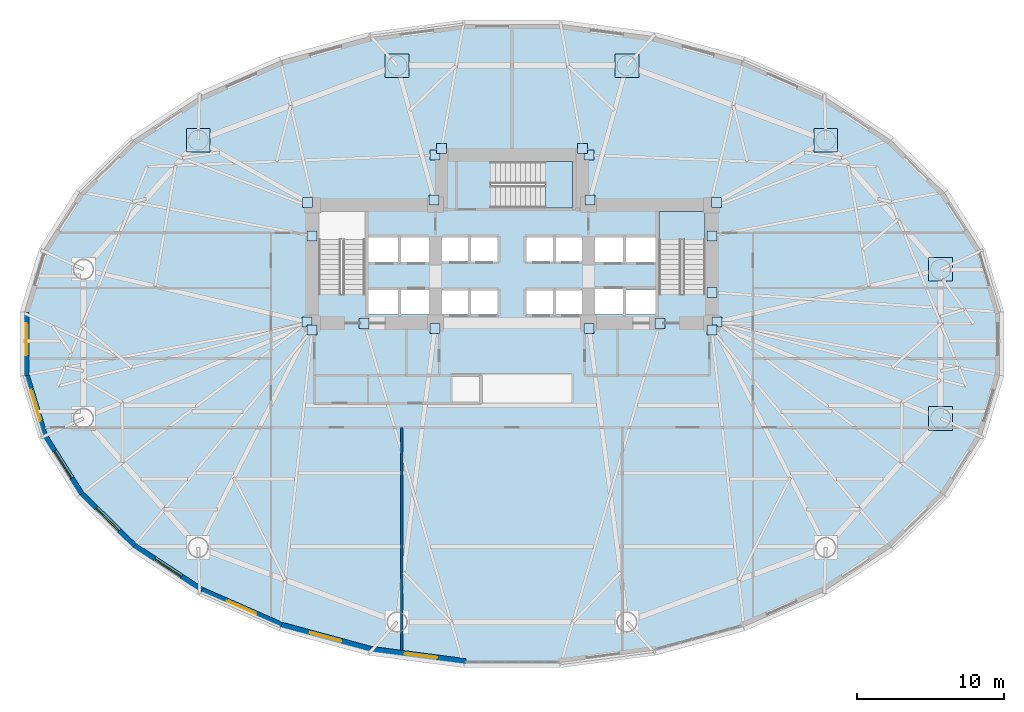
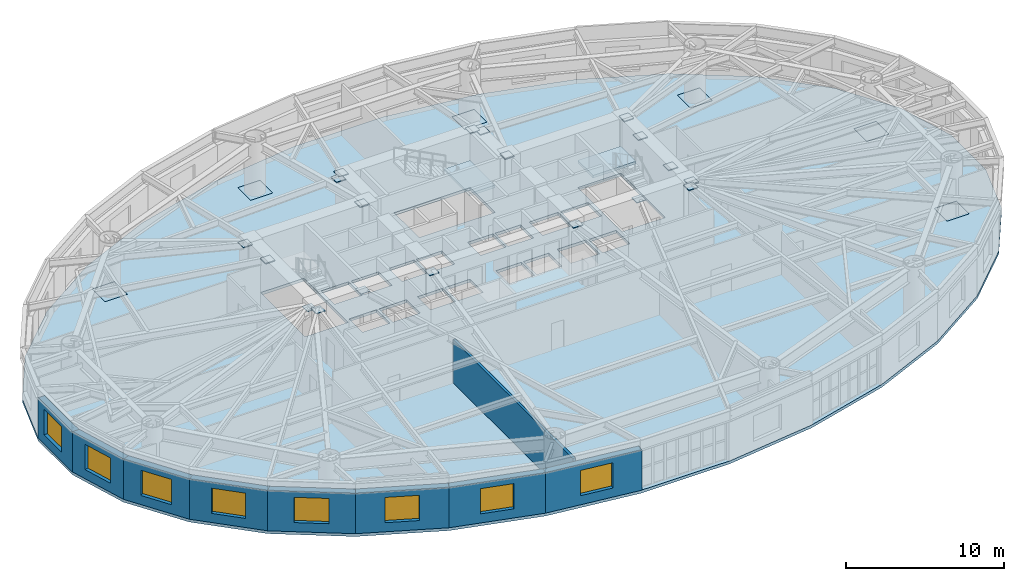
# One storey, part 8 of 18: 25 plates, 9 walls, 8 windows, 3 slabs, 8 openings, 2 elements without a shape of their own.
"""IFC4 building model written with IfcOpenShell, lengths in metres."""

from ifc_helpers import new_model, si_unit, direction, frame, frame_2d, origin, origin_2d, place, context, subcontext, project, spatial, polyline, rectangle, outline, extrude, material, layer, layer_set, type_object, element, fill, aggregate, save


model = new_model("IFC4")

# Units and contexts
model_context = context("Model", 3, precision=1e-05, world=origin(), true_north=direction((0.0, 1.0)))
body_context = subcontext(model_context, "Body", "Model", "MODEL_VIEW")
ifc_project = project(units=[si_unit("LENGTHUNIT", "METRE"), si_unit("AREAUNIT", "SQUARE_METRE"), si_unit("VOLUMEUNIT", "CUBIC_METRE"), si_unit("PLANEANGLEUNIT", "RADIAN"), si_unit("MASSUNIT", "GRAM", prefix="KILO")], contexts=[model_context])

# Site, building, storey
site_placement = place(None, origin())
site = spatial("IfcSite", under=ifc_project, at=site_placement, CompositionType="ELEMENT")
building_placement = place(site_placement, origin())
building = spatial("IfcBuilding", under=site, at=building_placement, Name="Keldmark Tower", CompositionType="ELEMENT")
storey_placement = place(building_placement, frame((0.0, 0.0, 6.0)))
storey = spatial("IfcBuildingStorey", under=building, at=storey_placement, Name="L01", CompositionType="ELEMENT", Elevation=6.0)

# Plates
ifc_material_1 = material(Name="Steel ASTM A572 Grade 50", Category="steel")
ifc_layer_1 = layer(ifc_material_1, 0.06005859375)
ifc_layer_set_1 = layer_set([ifc_layer_1], Name="Steel ASTM A572 Grade 50")
plate_type_1 = type_object("IfcPlateType", Name="Belt Truss Kink Node Assembly KN01 60 mm", PredefinedType="USERDEFINED", material=ifc_layer_set_1)
for number, where, z_axis, x_axis, name in (
    (1, (13.940673828125, 1.48046875, 3.6416015625), (0.0, 0.0, 1.0), (1.0, 0.0, 0.0), "L01 Core Wall Cast-In Embed Plate 033"),
    (2, (13.904296875, 9.623046875, 3.6416015625), (0.0, 0.0, 1.0), (1.0, 0.0, 0.0), "L01 Core Wall Cast-In Embed Plate 034"),
    (3, (5.293212890625, 9.787353515625, 3.6416015625), (0.0, 0.0, 1.0), (1.0, 0.0, 0.0), "L01 Core Wall Cast-In Embed Plate 035"),
    (4, (-5.293212890625, 9.787353515625, 3.6416015625), (0.0, 0.0, 1.0), (1.0, 0.0, 0.0), "L01 Core Wall Cast-In Embed Plate 036"),
    (5, (-13.904296875, 9.623046875, 3.6416015625), (0.0, 0.0, 1.0), (1.0, 0.0, 0.0), "L01 Core Wall Cast-In Embed Plate 037"),
    (6, (-13.940673828125, 1.48046875, 3.6416015625), (0.0, 0.0, 1.0), (1.0, 0.0, 0.0), "L01 Core Wall Cast-In Embed Plate 038"),
    (7, (-5.24462890625, 1.052978515625, 3.6416015625), (0.0, 0.0, 1.0), (1.0, 0.0, 0.0), "L01 Core Wall Cast-In Embed Plate 039"),
    (8, (5.24462890625, 1.052978515625, 3.6416015625), (0.0, 0.0, 1.0), (1.0, 0.0, 0.0), "L01 Core Wall Cast-In Embed Plate 040"),
    (9, (5.25, 12.85009765625, 3.68408203125), (0.0, 0.0, 1.0), (1.0, 0.0, 0.0), "L01 Core Wall Cast-In Embed Plate 041"),
    (10, (-5.25, 12.85009765625, 3.68408203125), (0.0, 0.0, 1.0), (1.0, 0.0, 0.0), "L01 Core Wall Cast-In Embed Plate 042"),
    (11, (13.60009765625, 3.507080078125, 3.68408203125), (0.0, 0.0, 1.0), (1.0, 0.0, 0.0), "L01 Core Wall Cast-In Embed Plate 043"),
    (12, (13.60009765625, 7.343017578125, 3.68408203125), (0.0, 0.0, 1.0), (1.0, 0.0, 0.0), "L01 Core Wall Cast-In Embed Plate 044"),
    (13, (4.800048828125, 13.300048828125, 3.68408203125), (0.0, 0.0, 1.0), (1.0, 0.0, 0.0), "L01 Core Wall Cast-In Embed Plate 045"),
    (14, (-4.800048828125, 13.300048828125, 3.68408203125), (0.0, 0.0, 1.0), (1.0, 0.0, 0.0), "L01 Core Wall Cast-In Embed Plate 046"),
    (15, (-13.60009765625, 7.343017578125, 3.68408203125), (0.0, 0.0, 1.0), (1.0, 0.0, 0.0), "L01 Core Wall Cast-In Embed Plate 047"),
    (16, (-13.60009765625, 0.949951171875, 3.68408203125), (0.0, 0.0, 1.0), (1.0, 0.0, 0.0), "L01 Core Wall Cast-In Embed Plate 048"),
    (17, (-10.064208984375, 1.39990234375, 3.68408203125), (0.0, 0.0, 1.0), (1.0, 0.0, 0.0), "L01 Core Wall Cast-In Embed Plate 049"),
    (18, (10.064208984375, 1.39990234375, 3.68408203125), (0.0, 0.0, 1.0), (1.0, 0.0, 0.0), "L01 Core Wall Cast-In Embed Plate 050"),
    (19, (13.60009765625, 0.949951171875, 3.68408203125), (0.0, 0.0, 1.0), (1.0, 0.0, 0.0), "L01 Core Wall Cast-In Embed Plate 051"),
):
    element("IfcPlate", number, at=place(storey_placement, frame(where, z_axis=z_axis, x_axis=x_axis)), inside=storey, type_object=plate_type_1, Name=name, ObjectType="CAP PLATE", PredefinedType="USERDEFINED", context=body_context, shape_type="SweptSolid", body=[
        extrude(rectangle(XDim=0.679931640625, YDim=0.679931640625, at=origin_2d()), origin(), (0.0, 0.0, 1.0), 0.054931640625),
    ])
ifc_material_2 = material(Name="Steel ASTM A572 Grade 50", Category="steel")
ifc_layer_2 = layer(ifc_material_2, 0.070068359375)
ifc_layer_set_2 = layer_set([ifc_layer_2], Name="Steel ASTM A572 Grade 50")
plate_type_2 = type_object("IfcPlateType", Name="Pilotis Top Cap Plate BP02 70 mm", PredefinedType="USERDEFINED", material=ifc_layer_set_2)
for number, where, z_axis, x_axis, name in (
    (20, (29.1708984375, 5.072998046875, -0.06982421875), (0.0, 0.0, 1.0), (1.0, 0.0, 0.0), "L01 Pilotis Transition Diaphragm Plate MC-01"),
    (21, (21.3544921875, 13.859375, -0.06982421875), (0.0, 0.0, 1.0), (1.0, 0.0, 0.0), "L01 Pilotis Transition Diaphragm Plate MC-02"),
    (22, (7.81640625, 18.93212890625, -0.06982421875), (0.0, 0.0, 1.0), (1.0, 0.0, 0.0), "L01 Pilotis Transition Diaphragm Plate MC-03"),
    (23, (-7.81640625, 18.93212890625, -0.06982421875), (0.0, 0.0, 1.0), (1.0, 0.0, 0.0), "L01 Pilotis Transition Diaphragm Plate MC-04"),
    (24, (-21.3544921875, 13.859375, -0.06982421875), (0.0, 0.0, 1.0), (1.0, 0.0, 0.0), "L01 Pilotis Transition Diaphragm Plate MC-05"),
    (25, (29.1708984375, -5.072998046875, -0.06982421875), (0.0, 0.0, 1.0), (1.0, 0.0, 0.0), "L01 Pilotis Transition Diaphragm Plate MC-12"),
):
    element("IfcPlate", number, at=place(storey_placement, frame(where, z_axis=z_axis, x_axis=x_axis)), inside=storey, type_object=plate_type_2, Name=name, ObjectType="CAP PLATE", PredefinedType="USERDEFINED", context=body_context, shape_type="SweptSolid", body=[
        extrude(rectangle(XDim=1.6201171875, YDim=1.6201171875, at=origin_2d()), origin(), (0.0, 0.0, 1.0), 0.070068359375),
    ])

# Stair, slab
ifc_material_3 = material(Name="Concrete C40/50", Category="concrete")
stair_type = type_object("IfcStairType", Name="Precast Concrete Core Exit Stair", PredefinedType="HALF_TURN_STAIR", material=ifc_material_3)
stair_1_placement = place(storey_placement, origin())
stair_1 = element("IfcStair", 26, at=stair_1_placement, inside=storey, type_object=stair_type, Name="L01 Exit Stair ST2", PredefinedType="HALF_TURN_STAIR")
ifc_material_4 = material(Name="Concrete C40/50", Category="concrete")
ifc_layer_3 = layer(ifc_material_4, 0.199951171875)
ifc_layer_set_3 = layer_set([ifc_layer_3], Name="Concrete C40/50")
slab_type_1 = type_object("IfcSlabType", Name="Reinforced Concrete Stair Landing 200 mm", PredefinedType="LANDING", material=ifc_layer_set_3)
slab_1_placement = place(storey_placement, frame((0.0, 0.0, 1.89990234375)))
slab_1 = element("IfcSlab", 27, at=slab_1_placement, type_object=slab_type_1, Name="ST2 landing 1", PredefinedType="LANDING", context=body_context, shape_type="SweptSolid", body=[
    extrude(outline(polyline([(13.14990234375, 7.070068359375), (13.14990234375, 9.0), (10.0, 9.0), (10.0, 7.070068359375), (13.14990234375, 7.070068359375)])), origin(), (0.0, 0.0, 1.0), 0.2001953125),
])
aggregate(stair_1, [slab_1])

stair_2_placement = place(storey_placement, origin())
stair_2 = element("IfcStair", 28, at=stair_2_placement, inside=storey, type_object=stair_type, Name="L01 Exit Stair ST3", PredefinedType="HALF_TURN_STAIR")
slab_2_placement = place(storey_placement, frame((0.0, 0.0, 1.89990234375)))
slab_2 = element("IfcSlab", 29, at=slab_2_placement, type_object=slab_type_1, Name="ST3 landing 1", PredefinedType="LANDING", context=body_context, shape_type="SweptSolid", body=[
    extrude(outline(polyline([(2.2451171875, 9.25), (4.10498046875, 9.25), (4.10498046875, 12.39990234375), (2.2451171875, 12.39990234375), (2.2451171875, 9.25)])), origin(), (0.0, 0.0, 1.0), 0.2001953125),
])
aggregate(stair_2, [slab_2])

# Slab
ifc_material_5 = material(Name="Concrete C35/45", Category="concrete")
ifc_layer_4 = layer(ifc_material_5, 0.219970703125)
ifc_layer_set_4 = layer_set([ifc_layer_4], Name="Concrete C35/45")
slab_type_2 = type_object("IfcSlabType", Name="Sky Lobby Floor Slab 220 mm", PredefinedType="FLOOR", material=ifc_layer_set_4)
slab_3_placement = place(storey_placement, frame((0.0, 0.0, -0.219970703125)))
element("IfcSlab", 30, at=slab_3_placement, inside=storey, type_object=slab_type_2, Name="L01 Composite Structural Floor Slab", PredefinedType="FLOOR", context=body_context, shape_type="SweptSolid", body=[
    extrude(outline(polyline([(33.338623046875, 2.156494140625), (32.0576171875, 6.38623046875), (29.54443359375, 10.37060546875), (25.89599609375, 13.956787109375), (21.252197265625, 17.006103515625), (15.791748046875, 19.40234375), (9.724609375, 21.052734375), (3.28369140625, 21.89404296875), (-3.28369140625, 21.89404296875), (-9.724609375, 21.052734375), (-15.791748046875, 19.40234375), (-21.252197265625, 17.006103515625), (-25.89599609375, 13.956787109375), (-29.54443359375, 10.37060546875), (-32.0576171875, 6.38623046875), (-33.338623046875, 2.156494140625), (-33.338623046875, -2.156494140625), (-32.0576171875, -6.38623046875), (-29.54443359375, -10.37060546875), (-25.89599609375, -13.956787109375), (-21.252197265625, -17.006103515625), (-15.791748046875, -19.40234375), (-9.724609375, -21.052734375), (-3.28369140625, -21.89404296875), (3.28369140625, -21.89404296875), (9.724609375, -21.052734375), (15.791748046875, -19.40234375), (21.252197265625, -17.006103515625), (25.89599609375, -13.956787109375), (29.54443359375, -10.37060546875), (32.0576171875, -6.38623046875), (33.338623046875, -2.156494140625), (33.338623046875, 2.156494140625)]), holes=[polyline([(-10.0, 3.385009765625), (-10.0, 9.0), (-13.14990234375, 9.0), (-13.14990234375, 3.385009765625), (-10.0, 3.385009765625)]), polyline([(13.14990234375, 3.385009765625), (13.14990234375, 9.0), (10.0, 9.0), (10.0, 3.385009765625), (13.14990234375, 3.385009765625)]), polyline([(-1.43994140625, 9.25), (4.10498046875, 9.25), (4.10498046875, 12.39990234375), (-1.43994140625, 12.39990234375), (-1.43994140625, 9.25)]), polyline([(-9.75, 2.0), (-7.75, 2.0), (-7.75, 3.699951171875), (-9.75, 3.699951171875), (-9.75, 2.0)]), polyline([(7.75, 2.0), (9.75, 2.0), (9.75, 3.699951171875), (7.75, 3.699951171875), (7.75, 2.0)]), polyline([(5.449951171875, 2.0), (7.550048828125, 2.0), (7.550048828125, 3.75), (5.449951171875, 3.75), (5.449951171875, 2.0)]), polyline([(-4.800048828125, 2.0), (-2.949951171875, 2.0), (-2.949951171875, 3.64990234375), (-4.800048828125, 3.64990234375), (-4.800048828125, 2.0)]), polyline([(-2.800048828125, 2.0), (-0.949951171875, 2.0), (-0.949951171875, 3.64990234375), (-2.800048828125, 3.64990234375), (-2.800048828125, 2.0)]), polyline([(0.949951171875, 2.0), (2.800048828125, 2.0), (2.800048828125, 3.64990234375), (0.949951171875, 3.64990234375), (0.949951171875, 2.0)]), polyline([(2.949951171875, 2.0), (4.800048828125, 2.0), (4.800048828125, 3.64990234375), (2.949951171875, 3.64990234375), (2.949951171875, 2.0)]), polyline([(-4.800048828125, 5.60009765625), (-2.949951171875, 5.60009765625), (-2.949951171875, 7.25), (-4.800048828125, 7.25), (-4.800048828125, 5.60009765625)]), polyline([(-2.800048828125, 5.60009765625), (-0.949951171875, 5.60009765625), (-0.949951171875, 7.25), (-2.800048828125, 7.25), (-2.800048828125, 5.60009765625)]), polyline([(0.949951171875, 5.60009765625), (2.800048828125, 5.60009765625), (2.800048828125, 7.25), (0.949951171875, 7.25), (0.949951171875, 5.60009765625)]), polyline([(2.949951171875, 5.60009765625), (4.800048828125, 5.60009765625), (4.800048828125, 7.25), (2.949951171875, 7.25), (2.949951171875, 5.60009765625)]), polyline([(-9.75, 5.550048828125), (-7.75, 5.550048828125), (-7.75, 7.25), (-9.75, 7.25), (-9.75, 5.550048828125)]), polyline([(-7.550048828125, 5.550048828125), (-5.550048828125, 5.550048828125), (-5.550048828125, 7.25), (-7.550048828125, 7.25), (-7.550048828125, 5.550048828125)]), polyline([(-7.550048828125, 2.0), (-5.550048828125, 2.0), (-5.550048828125, 3.699951171875), (-7.550048828125, 3.699951171875), (-7.550048828125, 2.0)]), polyline([(5.449951171875, 5.550048828125), (7.550048828125, 5.550048828125), (7.550048828125, 7.25), (5.449951171875, 7.25), (5.449951171875, 5.550048828125)]), polyline([(7.75, 5.550048828125), (9.75, 5.550048828125), (9.75, 7.25), (7.75, 7.25), (7.75, 5.550048828125)])]), origin(), (0.0, 0.0, 1.0), 0.219970703125),
])

# Wall
ifc_material_6 = material(Name="STC-58 Insulated Tenant Demising Gypsum Partition", Category="gypsum")
ifc_layer_5 = layer(ifc_material_6, 0.175048828125)
ifc_layer_set_5 = layer_set([ifc_layer_5], Name="STC-58 Insulated Tenant Demising Gypsum Partition")
wall_type_1 = type_object("IfcWallType", Name="Demising Suite Partition 175 mm", PredefinedType="PARTITIONING", material=ifc_layer_set_5)
wall_1_placement = place(storey_placement, frame((-7.5, -20.85107421875, 0.0), z_axis=(0.0, 0.0, 1.0), x_axis=(0.0, 1.0, 0.0)))
element("IfcWall", 31, at=wall_1_placement, inside=storey, type_object=wall_type_1, Name="L01 Demising Suite Partition 175 mm S-DIV-1", PredefinedType="PARTITIONING", context=body_context, shape_type="SweptSolid", body=[
    extrude(rectangle(XDim=15.151123046875, YDim=0.175048828125, at=frame_2d((7.57568359375, 0.0))), origin(), (0.0, 0.0, 1.0), 3.347900390625),
])

# Wall, opening, window
ifc_material_7 = material(Name="Ironspot Manganese Brick and Kasota Buff Limestone Cavity Assembly", Category="masonry")
ifc_layer_6 = layer(ifc_material_7, 0.47998046875)
ifc_layer_set_6 = layer_set([ifc_layer_6], Name="Ironspot Manganese Brick and Kasota Buff Limestone Cavity Assembly")
wall_type_2 = type_object("IfcWallType", Name="Podium Brick and Limestone Cavity Wall 480 mm", PredefinedType="STANDARD", material=ifc_layer_set_6)
wall_2_placement = place(storey_placement, frame((-33.0986328125, -2.156494140625, 0.0), z_axis=(0.0, 0.0, 1.0), x_axis=(0.0, 1.0, 0.0)))
wall_2 = element("IfcWall", 32, at=wall_2_placement, inside=storey, type_object=wall_type_2, Name="L01 Exterior Brick and Spandrel Wall 16", PredefinedType="STANDARD", context=body_context, shape_type="SweptSolid", body=[
    extrude(rectangle(XDim=4.31298828125, YDim=0.47998046875, at=frame_2d((2.156494140625, 0.0))), origin(), (0.0, 0.0, 1.0), 3.10888671875),
])
opening_1_placement = place(wall_2_placement, frame((1.37451171875, 0.0, 0.699951171875)))
opening_1 = element("IfcOpeningElement", 33, at=opening_1_placement, cuts=wall_2, Name="Opening W-01", PredefinedType="OPENING", context=body_context, shape_type="SweptSolid", body=[
    extrude(rectangle(XDim=2.199951171875, YDim=1.949951171875, at=frame_2d((1.10009765625, 0.97509765625))), frame((0.0, 0.25, 0.0), z_axis=(0.0, -1.0, 0.0), x_axis=(1.0, 0.0, 0.0)), (0.0, 0.0, 1.0), 0.5),
])
ifc_material_8 = material(Name="Thermally Broken Anodized Aluminum and Triple Low-E Argon Glazing", Category="aluminium")
window_type = type_object("IfcWindowType", Name="Podium Arched-Head Punched Window 2200x1950", PartitioningType="SINGLE_PANEL", PredefinedType="WINDOW", material=ifc_material_8)
window_1_placement = place(opening_1_placement, origin())
window_1 = element("IfcWindow", 34, at=window_1_placement, inside=storey, type_object=window_type, Name="L01 Deep-Set Window 16", OverallHeight=1.949951171875, OverallWidth=2.199951171875, PartitioningType="SINGLE_PANEL", PredefinedType="WINDOW", context=body_context, shape_type="SweptSolid", body=[
    extrude(rectangle(XDim=2.199951171875, YDim=1.949951171875, at=frame_2d((1.10009765625, 0.97509765625))), frame((0.0, -0.010009765625, 0.0), z_axis=(0.0, -1.0, 0.0), x_axis=(1.0, 0.0, 0.0)), (0.0, 0.0, 1.0), 0.06005859375),
])
fill(opening_1, window_1)

wall_3_placement = place(storey_placement, frame((-31.827880859375, -6.316650390625, 0.0), z_axis=(0.0, 0.0, 1.0), x_axis=(-0.289855603468, 0.957070388811, 0.0)))
wall_3 = element("IfcWall", 35, at=wall_3_placement, inside=storey, type_object=wall_type_2, Name="L01 Exterior Brick and Spandrel Wall 17", PredefinedType="STANDARD", context=body_context, shape_type="SweptSolid", body=[
    extrude(rectangle(XDim=4.41943359375, YDim=0.47998046875, at=frame_2d((2.209716796875, 0.0))), origin(), (0.0, 0.0, 1.0), 3.10888671875),
])
opening_2_placement = place(wall_3_placement, frame((1.10986328125, 0.0, 0.699951171875)))
opening_2 = element("IfcOpeningElement", 36, at=opening_2_placement, cuts=wall_3, Name="Opening W-01", PredefinedType="OPENING", context=body_context, shape_type="SweptSolid", body=[
    extrude(rectangle(XDim=2.199951171875, YDim=1.949951171875, at=frame_2d((1.10009765625, 0.97509765625))), frame((0.0, 0.25, 0.0), z_axis=(0.0, -1.0, 0.0), x_axis=(1.0, 0.0, 0.0)), (0.0, 0.0, 1.0), 0.5),
])
window_2_placement = place(opening_2_placement, origin())
window_2 = element("IfcWindow", 37, at=window_2_placement, inside=storey, type_object=window_type, Name="L01 Deep-Set Window 17", OverallHeight=1.949951171875, OverallWidth=2.199951171875, PartitioningType="SINGLE_PANEL", PredefinedType="WINDOW", context=body_context, shape_type="SweptSolid", body=[
    extrude(rectangle(XDim=2.199951171875, YDim=1.949951171875, at=frame_2d((1.10009765625, 0.97509765625))), frame((0.0, -0.010009765625, 0.0), z_axis=(0.0, -1.0, 0.0), x_axis=(1.0, 0.0, 0.0)), (0.0, 0.0, 1.0), 0.06005859375),
])
fill(opening_2, window_2)

wall_4_placement = place(storey_placement, frame((-29.34130859375, -10.24267578125, 0.0), z_axis=(0.0, 0.0, 1.0), x_axis=(-0.53349762721, 0.845801561693, 0.0)))
wall_4 = element("IfcWall", 38, at=wall_4_placement, inside=storey, type_object=wall_type_2, Name="L01 Exterior Brick and Spandrel Wall 18", PredefinedType="STANDARD", context=body_context, shape_type="SweptSolid", body=[
    extrude(rectangle(XDim=4.710693359375, YDim=0.47998046875, at=frame_2d((2.35546875, 0.0))), origin(), (0.0, 0.0, 1.0), 3.10888671875),
])
opening_3_placement = place(wall_4_placement, frame((1.25537109375, 0.0, 0.699951171875)))
opening_3 = element("IfcOpeningElement", 39, at=opening_3_placement, cuts=wall_4, Name="Opening W-01", PredefinedType="OPENING", context=body_context, shape_type="SweptSolid", body=[
    extrude(rectangle(XDim=2.199951171875, YDim=1.949951171875, at=frame_2d((1.10009765625, 0.97509765625))), frame((0.0, 0.25, 0.0), z_axis=(0.0, -1.0, 0.0), x_axis=(1.0, 0.0, 0.0)), (0.0, 0.0, 1.0), 0.5),
])
window_3_placement = place(opening_3_placement, origin())
window_3 = element("IfcWindow", 40, at=window_3_placement, inside=storey, type_object=window_type, Name="L01 Deep-Set Window 18", OverallHeight=1.949951171875, OverallWidth=2.199951171875, PartitioningType="SINGLE_PANEL", PredefinedType="WINDOW", context=body_context, shape_type="SweptSolid", body=[
    extrude(rectangle(XDim=2.199951171875, YDim=1.949951171875, at=frame_2d((1.10009765625, 0.97509765625))), frame((0.0, -0.010009765625, 0.0), z_axis=(0.0, -1.0, 0.0), x_axis=(1.0, 0.0, 0.0)), (0.0, 0.0, 1.0), 0.06005859375),
])
fill(opening_3, window_3)

wall_5_placement = place(storey_placement, frame((-25.727783203125, -13.785400390625, 0.0), z_axis=(0.0, 0.0, 1.0), x_axis=(-0.713189080178, 0.700971708355, 0.0)))
wall_5 = element("IfcWall", 41, at=wall_5_placement, inside=storey, type_object=wall_type_2, Name="L01 Exterior Brick and Spandrel Wall 19", PredefinedType="STANDARD", context=body_context, shape_type="SweptSolid", body=[
    extrude(rectangle(XDim=5.11572265625, YDim=0.47998046875, at=frame_2d((2.557861328125, 0.0))), origin(), (0.0, 0.0, 1.0), 3.10888671875),
])
opening_4_placement = place(wall_5_placement, frame((1.4580078125, 0.0, 0.699951171875)))
opening_4 = element("IfcOpeningElement", 42, at=opening_4_placement, cuts=wall_5, Name="Opening W-01", PredefinedType="OPENING", context=body_context, shape_type="SweptSolid", body=[
    extrude(rectangle(XDim=2.199951171875, YDim=1.949951171875, at=frame_2d((1.10009765625, 0.97509765625))), frame((0.0, 0.25, 0.0), z_axis=(0.0, -1.0, 0.0), x_axis=(1.0, 0.0, 0.0)), (0.0, 0.0, 1.0), 0.5),
])
window_4_placement = place(opening_4_placement, origin())
window_4 = element("IfcWindow", 43, at=window_4_placement, inside=storey, type_object=window_type, Name="L01 Deep-Set Window 19", OverallHeight=1.949951171875, OverallWidth=2.199951171875, PartitioningType="SINGLE_PANEL", PredefinedType="WINDOW", context=body_context, shape_type="SweptSolid", body=[
    extrude(rectangle(XDim=2.199951171875, YDim=1.949951171875, at=frame_2d((1.10009765625, 0.97509765625))), frame((0.0, -0.010009765625, 0.0), z_axis=(0.0, -1.0, 0.0), x_axis=(1.0, 0.0, 0.0)), (0.0, 0.0, 1.0), 0.06005859375),
])
fill(opening_4, window_4)

wall_6_placement = place(storey_placement, frame((-21.12060546875, -16.8056640625, 0.0), z_axis=(0.0, 0.0, 1.0), x_axis=(-0.835863918172, 0.548936708827, 0.0)))
wall_6 = element("IfcWall", 44, at=wall_6_placement, inside=storey, type_object=wall_type_2, Name="L01 Exterior Brick and Spandrel Wall 20", PredefinedType="STANDARD", context=body_context, shape_type="SweptSolid", body=[
    extrude(rectangle(XDim=5.555419921875, YDim=0.47998046875, at=frame_2d((2.77783203125, 0.0))), origin(), (0.0, 0.0, 1.0), 3.10888671875),
])
opening_5_placement = place(wall_6_placement, frame((1.677734375, 0.0, 0.699951171875)))
opening_5 = element("IfcOpeningElement", 45, at=opening_5_placement, cuts=wall_6, Name="Opening W-01", PredefinedType="OPENING", context=body_context, shape_type="SweptSolid", body=[
    extrude(rectangle(XDim=2.199951171875, YDim=1.949951171875, at=frame_2d((1.10009765625, 0.97509765625))), frame((0.0, 0.25, 0.0), z_axis=(0.0, -1.0, 0.0), x_axis=(1.0, 0.0, 0.0)), (0.0, 0.0, 1.0), 0.5),
])
window_5_placement = place(opening_5_placement, origin())
window_5 = element("IfcWindow", 46, at=window_5_placement, inside=storey, type_object=window_type, Name="L01 Deep-Set Window 20", OverallHeight=1.949951171875, OverallWidth=2.199951171875, PartitioningType="SINGLE_PANEL", PredefinedType="WINDOW", context=body_context, shape_type="SweptSolid", body=[
    extrude(rectangle(XDim=2.199951171875, YDim=1.949951171875, at=frame_2d((1.10009765625, 0.97509765625))), frame((0.0, -0.010009765625, 0.0), z_axis=(0.0, -1.0, 0.0), x_axis=(1.0, 0.0, 0.0)), (0.0, 0.0, 1.0), 0.06005859375),
])
fill(opening_5, window_5)

wall_7_placement = place(storey_placement, frame((-15.6953125, -19.1826171875, 0.0), z_axis=(0.0, 0.0, 1.0), x_axis=(-0.91570760638, 0.401845218484, 0.0)))
wall_7 = element("IfcWall", 47, at=wall_7_placement, inside=storey, type_object=wall_type_2, Name="L01 Exterior Brick and Spandrel Wall 21", PredefinedType="STANDARD", context=body_context, shape_type="SweptSolid", body=[
    extrude(rectangle(XDim=5.963134765625, YDim=0.47998046875, at=frame_2d((2.9814453125, 0.0))), origin(), (0.0, 0.0, 1.0), 3.10888671875),
])
opening_6_placement = place(wall_7_placement, frame((1.881591796875, 0.0, 0.699951171875)))
opening_6 = element("IfcOpeningElement", 48, at=opening_6_placement, cuts=wall_7, Name="Opening W-01", PredefinedType="OPENING", context=body_context, shape_type="SweptSolid", body=[
    extrude(rectangle(XDim=2.199951171875, YDim=1.949951171875, at=frame_2d((1.10009765625, 0.97509765625))), frame((0.0, 0.25, 0.0), z_axis=(0.0, -1.0, 0.0), x_axis=(1.0, 0.0, 0.0)), (0.0, 0.0, 1.0), 0.5),
])
window_6_placement = place(opening_6_placement, origin())
window_6 = element("IfcWindow", 49, at=window_6_placement, inside=storey, type_object=window_type, Name="L01 Deep-Set Window 21", OverallHeight=1.949951171875, OverallWidth=2.199951171875, PartitioningType="SINGLE_PANEL", PredefinedType="WINDOW", context=body_context, shape_type="SweptSolid", body=[
    extrude(rectangle(XDim=2.199951171875, YDim=1.949951171875, at=frame_2d((1.10009765625, 0.97509765625))), frame((0.0, -0.010009765625, 0.0), z_axis=(0.0, -1.0, 0.0), x_axis=(1.0, 0.0, 0.0)), (0.0, 0.0, 1.0), 0.06005859375),
])
fill(opening_6, window_6)

wall_8_placement = place(storey_placement, frame((-9.66162109375, -20.821044921875, 0.0), z_axis=(0.0, 0.0, 1.0), x_axis=(-0.964936550718, 0.262483243445, 0.0)))
wall_8 = element("IfcWall", 50, at=wall_8_placement, inside=storey, type_object=wall_type_2, Name="L01 Exterior Brick and Spandrel Wall 22", PredefinedType="STANDARD", context=body_context, shape_type="SweptSolid", body=[
    extrude(rectangle(XDim=6.28759765625, YDim=0.47998046875, at=frame_2d((3.143798828125, 0.0))), origin(), (0.0, 0.0, 1.0), 3.10888671875),
])
opening_7_placement = place(wall_8_placement, frame((2.0439453125, 0.0, 0.699951171875)))
opening_7 = element("IfcOpeningElement", 51, at=opening_7_placement, cuts=wall_8, Name="Opening W-01", PredefinedType="OPENING", context=body_context, shape_type="SweptSolid", body=[
    extrude(rectangle(XDim=2.199951171875, YDim=1.949951171875, at=frame_2d((1.10009765625, 0.97509765625))), frame((0.0, 0.25, 0.0), z_axis=(0.0, -1.0, 0.0), x_axis=(1.0, 0.0, 0.0)), (0.0, 0.0, 1.0), 0.5),
])
window_7_placement = place(opening_7_placement, origin())
window_7 = element("IfcWindow", 52, at=window_7_placement, inside=storey, type_object=window_type, Name="L01 Deep-Set Window 22", OverallHeight=1.949951171875, OverallWidth=2.199951171875, PartitioningType="SINGLE_PANEL", PredefinedType="WINDOW", context=body_context, shape_type="SweptSolid", body=[
    extrude(rectangle(XDim=2.199951171875, YDim=1.949951171875, at=frame_2d((1.10009765625, 0.97509765625))), frame((0.0, -0.010009765625, 0.0), z_axis=(0.0, -1.0, 0.0), x_axis=(1.0, 0.0, 0.0)), (0.0, 0.0, 1.0), 0.06005859375),
])
fill(opening_7, window_7)

wall_9_placement = place(storey_placement, frame((-3.143310546875, -21.67041015625, 0.0), z_axis=(0.0, 0.0, 1.0), x_axis=(-0.991574010877, 0.129541425626, 0.0)))
wall_9 = element("IfcWall", 53, at=wall_9_placement, inside=storey, type_object=wall_type_2, Name="L01 Exterior Brick and Spandrel Wall 23", PredefinedType="STANDARD", context=body_context, shape_type="SweptSolid", body=[
    extrude(rectangle(XDim=6.605712890625, YDim=0.47998046875, at=frame_2d((3.302734375, 0.0))), origin(), (0.0, 0.0, 1.0), 3.10888671875),
])
opening_8_placement = place(wall_9_placement, frame((1.980224609375, 0.0, 0.699951171875)))
opening_8 = element("IfcOpeningElement", 54, at=opening_8_placement, cuts=wall_9, Name="Opening W-01", PredefinedType="OPENING", context=body_context, shape_type="SweptSolid", body=[
    extrude(rectangle(XDim=2.199951171875, YDim=1.949951171875, at=frame_2d((1.10009765625, 0.97509765625))), frame((0.0, 0.25, 0.0), z_axis=(0.0, -1.0, 0.0), x_axis=(1.0, 0.0, 0.0)), (0.0, 0.0, 1.0), 0.5),
])
window_8_placement = place(opening_8_placement, origin())
window_8 = element("IfcWindow", 55, at=window_8_placement, inside=storey, type_object=window_type, Name="L01 Deep-Set Window 23", OverallHeight=1.949951171875, OverallWidth=2.199951171875, PartitioningType="SINGLE_PANEL", PredefinedType="WINDOW", context=body_context, shape_type="SweptSolid", body=[
    extrude(rectangle(XDim=2.199951171875, YDim=1.949951171875, at=frame_2d((1.10009765625, 0.97509765625))), frame((0.0, -0.010009765625, 0.0), z_axis=(0.0, -1.0, 0.0), x_axis=(1.0, 0.0, 0.0)), (0.0, 0.0, 1.0), 0.06005859375),
])
fill(opening_8, window_8)

save(model, "model.ifc")
